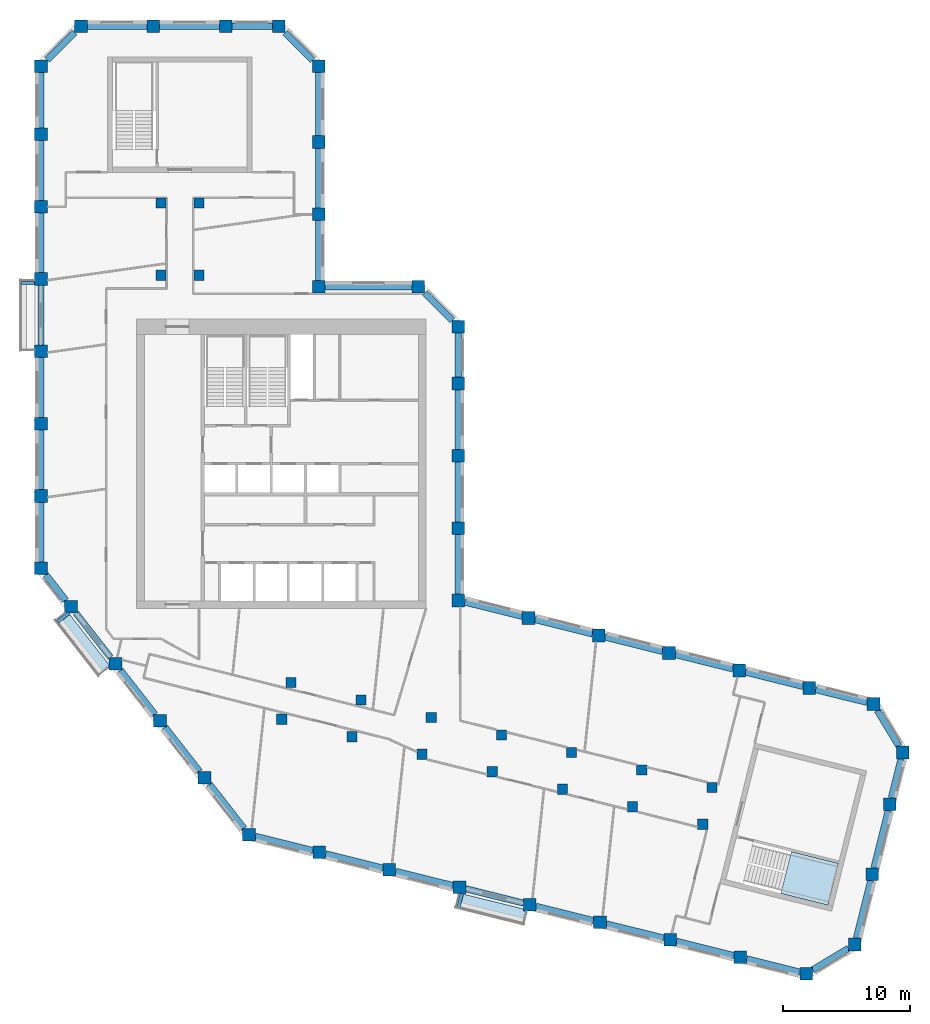
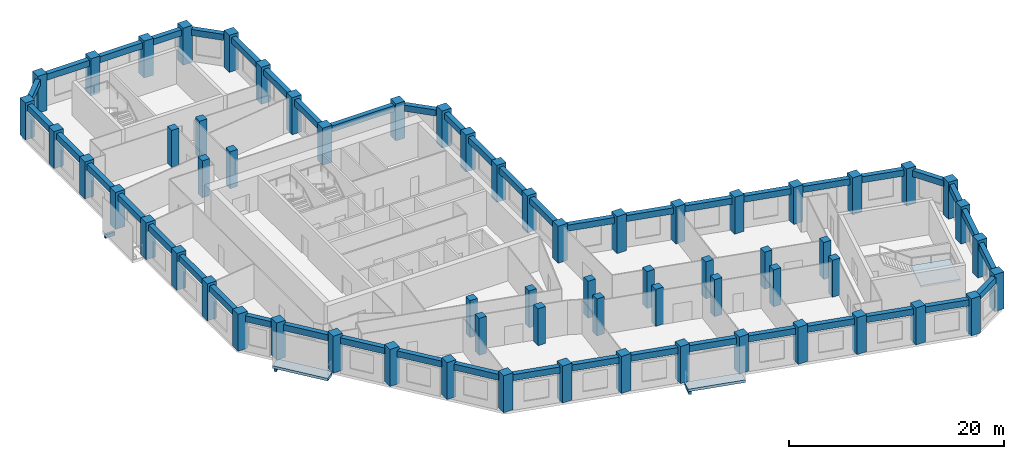
# One storey, part 1 of 9: 63 columns, 48 beams, 3 slabs, 1 element without a shape of its own.
"""IFC4 building model written with IfcOpenShell, lengths in metres."""

from ifc_helpers import new_model, si_unit, direction, frame, origin, origin_2d, place, context, subcontext, project, spatial, polyline, rectangle, outline, extrude, material, layer, layer_set, material_profile, profile_set, type_object, element, aggregate, save


model = new_model("IFC4")

# Units and contexts
model_context = context("Model", 3, precision=1e-05, world=origin(), true_north=direction((0.0, 1.0)))
body_context = subcontext(model_context, "Body", "Model", "MODEL_VIEW")
ifc_project = project(units=[si_unit("LENGTHUNIT", "METRE"), si_unit("AREAUNIT", "SQUARE_METRE"), si_unit("VOLUMEUNIT", "CUBIC_METRE"), si_unit("PLANEANGLEUNIT", "RADIAN"), si_unit("MASSUNIT", "GRAM", prefix="KILO")], contexts=[model_context])

# Site, building, storey
site_placement = place(None, origin())
site = spatial("IfcSite", under=ifc_project, at=site_placement, CompositionType="ELEMENT")
building_placement = place(site_placement, origin())
building = spatial("IfcBuilding", under=site, at=building_placement, Name="Meshkara Civic Tower", CompositionType="ELEMENT")
storey_placement = place(building_placement, frame((0.0, 0.0, 315.0)))
storey = spatial("IfcBuildingStorey", under=building, at=storey_placement, Name="L72", CompositionType="ELEMENT", Elevation=315.0)

# Columns
ifc_material_1 = material(Name="Concrete C60", Category="concrete")
ifc_material_profile_1 = material_profile(ifc_material_1, rectangle(XDim=0.800048828125, YDim=0.800048828125, at=origin_2d()))
ifc_profile_set_1 = profile_set([ifc_material_profile_1], Name="Concrete C60")
column_type_1 = type_object("IfcColumnType", Name="Interior column RC 800x800 C60", PredefinedType="COLUMN", material=ifc_profile_set_1)
for number, where, z_axis, x_axis, name in (
    (1, (9.89990234375, 40.35009765625, 0.0), (0.0, 0.0, 1.0), (1.0, 0.0, 0.0), "Column SA1-04 L72"),
    (2, (9.89990234375, 46.050048828125, 0.0), (0.0, 0.0, 1.0), (1.0, 0.0, 0.0), "Column SA1-05 L72"),
    (3, (12.89990234375, 40.35009765625, 0.0), (0.0, 0.0, 1.0), (1.0, 0.0, 0.0), "Column SA2-04 L72"),
    (4, (12.89990234375, 46.050048828125, 0.0), (0.0, 0.0, 1.0), (1.0, 0.0, 0.0), "Column SA2-05 L72"),
    (5, (19.424072265625, 5.360107421875, 0.0), (0.0, 0.0, 1.0), (1.0, 0.0, 0.0), "Column SB1-00 L72"),
    (6, (24.9541015625, 3.98095703125, 0.0), (0.0, 0.0, 1.0), (1.0, 0.0, 0.0), "Column SB1-01 L72"),
    (7, (30.485107421875, 2.60205078125, 0.0), (0.0, 0.0, 1.0), (1.0, 0.0, 0.0), "Column SB1-02 L72"),
    (8, (36.01611328125, 1.222900390625, 0.0), (0.0, 0.0, 1.0), (1.0, 0.0, 0.0), "Column SB1-03 L72"),
    (9, (41.5458984375, -0.156005859375, 0.0), (0.0, 0.0, 1.0), (1.0, 0.0, 0.0), "Column SB1-04 L72"),
    (10, (47.076904296875, -1.534912109375, 0.0), (0.0, 0.0, 1.0), (1.0, 0.0, 0.0), "Column SB1-05 L72"),
    (11, (52.60791015625, -2.9140625, 0.0), (0.0, 0.0, 1.0), (1.0, 0.0, 0.0), "Column SB1-06 L72"),
    (12, (20.14892578125, 8.27099609375, 0.0), (0.0, 0.0, 1.0), (1.0, 0.0, 0.0), "Column SB2-00 L72"),
    (13, (25.679931640625, 6.89208984375, 0.0), (0.0, 0.0, 1.0), (1.0, 0.0, 0.0), "Column SB2-01 L72"),
    (14, (31.2109375, 5.512939453125, 0.0), (0.0, 0.0, 1.0), (1.0, 0.0, 0.0), "Column SB2-02 L72"),
    (15, (36.741943359375, 4.134033203125, 0.0), (0.0, 0.0, 1.0), (1.0, 0.0, 0.0), "Column SB2-03 L72"),
    (16, (42.27197265625, 2.7548828125, 0.0), (0.0, 0.0, 1.0), (1.0, 0.0, 0.0), "Column SB2-04 L72"),
    (17, (47.802978515625, 1.3759765625, 0.0), (0.0, 0.0, 1.0), (1.0, 0.0, 0.0), "Column SB2-05 L72"),
    (18, (53.333984375, -0.0029296875, 0.0), (0.0, 0.0, 1.0), (1.0, 0.0, 0.0), "Column SB2-06 L72"),
):
    element("IfcColumn", number, at=place(storey_placement, frame(where, z_axis=z_axis, x_axis=x_axis)), inside=storey, type_object=column_type_1, Name=name, PredefinedType="COLUMN", context=body_context, shape_type="SweptSolid", body=[
        extrude(rectangle(XDim=0.800048828125, YDim=0.800048828125, at=origin_2d()), origin(), (0.0, 0.0, 1.0), 4.199951171875),
    ])
ifc_material_2 = material(Name="Concrete C60", Category="concrete")
ifc_material_profile_2 = material_profile(ifc_material_2, rectangle(XDim=1.0, YDim=1.0, at=origin_2d()))
ifc_profile_set_2 = profile_set([ifc_material_profile_2], Name="Concrete C60")
column_type_2 = type_object("IfcColumnType", Name="Perimeter column RC 1000x1000 C60", PredefinedType="COLUMN", material=ifc_profile_set_2)
for number, where, z_axis, x_axis, name in (
    (19, (33.35009765625, 14.718994140625, 0.0), (0.0, 0.0, 1.0), (1.0, 0.0, 0.0), "Column HE00 L72"),
    (20, (33.35009765625, 20.4189453125, 0.0), (0.0, 0.0, 1.0), (1.0, 0.0, 0.0), "Column HE01 L72"),
    (21, (33.35009765625, 26.118896484375, 0.0), (0.0, 0.0, 1.0), (1.0, 0.0, 0.0), "Column HE02 L72"),
    (22, (33.35009765625, 31.819091796875, 0.0), (0.0, 0.0, 1.0), (1.0, 0.0, 0.0), "Column HE03 L72"),
    (23, (33.35009765625, 36.2939453125, 0.0), (0.0, 0.0, 1.0), (1.0, 0.0, 0.0), "Column HEE L72"),
    (24, (30.194091796875, 39.449951171875, 0.0), (0.0, 0.0, 1.0), (1.0, 0.0, 0.0), "Column HCeE L72"),
    (25, (22.35009765625, 39.449951171875, 0.0), (0.0, 0.0, 1.0), (1.0, 0.0, 0.0), "Column HN00 L72"),
    (26, (22.35009765625, 45.14990234375, 0.0), (0.0, 0.0, 1.0), (1.0, 0.0, 0.0), "Column AE01 L72"),
    (27, (22.35009765625, 50.85009765625, 0.0), (0.0, 0.0, 1.0), (1.0, 0.0, 0.0), "Column AE02 L72"),
    (28, (22.35009765625, 56.81396484375, 0.0), (0.0, 0.0, 1.0), (1.0, 0.0, 0.0), "Column AEEP4 L72"),
    (29, (19.194091796875, 59.969970703125, 0.0), (0.0, 0.0, 1.0), (1.0, 0.0, 0.0), "Column ATiEP4 L72"),
    (30, (3.60595703125, 59.969970703125, 0.0), (0.0, 0.0, 1.0), (1.0, 0.0, 0.0), "Column AT00-P4 L72"),
    (31, (9.305908203125, 59.969970703125, 0.0), (0.0, 0.0, 1.0), (1.0, 0.0, 0.0), "Column AT01-P4 L72"),
    (32, (15.006103515625, 59.969970703125, 0.0), (0.0, 0.0, 1.0), (1.0, 0.0, 0.0), "Column AT02-P4 L72"),
    (33, (0.449951171875, 56.81396484375, 0.0), (0.0, 0.0, 1.0), (1.0, 0.0, 0.0), "Column ATo00-P4 L72"),
    (34, (0.449951171875, 17.2548828125, 0.0), (0.0, 0.0, 1.0), (1.0, 0.0, 0.0), "Column AW00 L72"),
    (35, (0.449951171875, 22.955078125, 0.0), (0.0, 0.0, 1.0), (1.0, 0.0, 0.0), "Column AW01 L72"),
    (36, (0.449951171875, 28.655029296875, 0.0), (0.0, 0.0, 1.0), (1.0, 0.0, 0.0), "Column AW02 L72"),
    (37, (0.449951171875, 34.35498046875, 0.0), (0.0, 0.0, 1.0), (1.0, 0.0, 0.0), "Column AW03 L72"),
    (38, (0.449951171875, 40.054931640625, 0.0), (0.0, 0.0, 1.0), (1.0, 0.0, 0.0), "Column AW04 L72"),
    (39, (0.449951171875, 45.7548828125, 0.0), (0.0, 0.0, 1.0), (1.0, 0.0, 0.0), "Column AW05 L72"),
    (40, (0.449951171875, 51.455078125, 0.0), (0.0, 0.0, 1.0), (1.0, 0.0, 0.0), "Column AW06 L72"),
    (41, (16.85107421875, -3.738037109375, 0.0), (0.0, 0.0, 1.0), (1.0, 0.0, 0.0), "Column BOW00 L72"),
    (42, (13.342041015625, 0.75390625, 0.0), (0.0, 0.0, 1.0), (1.0, 0.0, 0.0), "Column BOW01 L72"),
    (43, (9.8330078125, 5.2451171875, 0.0), (0.0, 0.0, 1.0), (1.0, 0.0, 0.0), "Column BOW02 L72"),
    (44, (6.322998046875, 9.737060546875, 0.0), (0.0, 0.0, 1.0), (1.0, 0.0, 0.0), "Column BOW03 L72"),
    (45, (2.81396484375, 14.22900390625, 0.0), (0.0, 0.0, 1.0), (1.0, 0.0, 0.0), "Column BOW04 L72"),
    (46, (22.382080078125, -5.116943359375, 0.0), (0.0, 0.0, 1.0), (1.0, 0.0, 0.0), "Column BS01 L72"),
    (47, (27.912109375, -6.49609375, 0.0), (0.0, 0.0, 1.0), (1.0, 0.0, 0.0), "Column BS02 L72"),
    (48, (33.443115234375, -7.875, 0.0), (0.0, 0.0, 1.0), (1.0, 0.0, 0.0), "Column BS03 L72"),
    (49, (38.97412109375, -9.25390625, 0.0), (0.0, 0.0, 1.0), (1.0, 0.0, 0.0), "Column BS04 L72"),
    (50, (44.50390625, -10.633056640625, 0.0), (0.0, 0.0, 1.0), (1.0, 0.0, 0.0), "Column BS05-P4 L72"),
    (51, (50.034912109375, -12.011962890625, 0.0), (0.0, 0.0, 1.0), (1.0, 0.0, 0.0), "Column BS06-P4 L72"),
    (52, (55.56591796875, -13.389892578125, 0.0), (0.0, 0.0, 1.0), (1.0, 0.0, 0.0), "Column BS07 L72"),
    (53, (60.76611328125, -14.68701171875, 0.0), (0.0, 0.0, 1.0), (1.0, 0.0, 0.0), "Column BSEP4 L72"),
    (54, (64.591064453125, -12.386962890625, 0.0), (0.0, 0.0, 1.0), (1.0, 0.0, 0.0), "Column BToEP4 L72"),
    (55, (65.969970703125, -6.85595703125, 0.0), (0.0, 0.0, 1.0), (1.0, 0.0, 0.0), "Column BT01-P4 L72"),
    (56, (67.34912109375, -1.325927734375, 0.0), (0.0, 0.0, 1.0), (1.0, 0.0, 0.0), "Column BT02-P4 L72"),
    (57, (68.362060546875, 2.736083984375, 0.0), (0.0, 0.0, 1.0), (1.0, 0.0, 0.0), "Column BTEP4 L72"),
    (58, (66.06298828125, 6.56201171875, 0.0), (0.0, 0.0, 1.0), (1.0, 0.0, 0.0), "Column BTi00-P4 L72"),
    (59, (38.881103515625, 13.340087890625, 0.0), (0.0, 0.0, 1.0), (1.0, 0.0, 0.0), "Column BN01 L72"),
    (60, (44.410888671875, 11.9609375, 0.0), (0.0, 0.0, 1.0), (1.0, 0.0, 0.0), "Column BN02 L72"),
    (61, (49.94189453125, 10.58203125, 0.0), (0.0, 0.0, 1.0), (1.0, 0.0, 0.0), "Column BN03 L72"),
    (62, (55.472900390625, 9.202880859375, 0.0), (0.0, 0.0, 1.0), (1.0, 0.0, 0.0), "Column BN04 L72"),
    (63, (61.0029296875, 7.823974609375, 0.0), (0.0, 0.0, 1.0), (1.0, 0.0, 0.0), "Column BN05 L72"),
):
    element("IfcColumn", number, at=place(storey_placement, frame(where, z_axis=z_axis, x_axis=x_axis)), inside=storey, type_object=column_type_2, Name=name, PredefinedType="COLUMN", context=body_context, shape_type="SweptSolid", body=[
        extrude(rectangle(XDim=1.0, YDim=1.0, at=origin_2d()), origin(), (0.0, 0.0, 1.0), 4.199951171875),
    ])

# Beams
ifc_material_3 = material(Name="Concrete C50", Category="concrete")
ifc_material_profile_3 = material_profile(ifc_material_3, rectangle(XDim=0.25, YDim=0.39990234375, at=origin_2d()))
ifc_profile_set_3 = profile_set([ifc_material_profile_3], Name="Concrete C50")
beam_type_1 = type_object("IfcBeamType", Name="Balcony bracket beam RC 250x400 C50", PredefinedType="BEAM", material=ifc_profile_set_3)
beam_1_placement = place(storey_placement, frame((-0.044921875, 39.7548828125, -0.5), z_axis=(-1.0, 0.0, 0.0), x_axis=(0.0, -1.0, 0.0)))
element("IfcBeam", 64, at=beam_1_placement, inside=storey, type_object=beam_type_1, Name="Balcony bracket beam", PredefinedType="BEAM", context=body_context, shape_type="SweptSolid", body=[
    extrude(rectangle(XDim=0.25, YDim=0.39990234375, at=origin_2d()), origin(), (0.0, 0.0, 1.0), 1.05517578125),
])
beam_2_placement = place(storey_placement, frame((2.6650390625, 13.73193359375, -0.5), z_axis=(-0.787961962446, -0.615723920064, 0.0), x_axis=(0.615723920064, -0.787961962446, 0.0)))
element("IfcBeam", 65, at=beam_2_placement, inside=storey, type_object=beam_type_1, Name="Balcony bracket beam", PredefinedType="BEAM", context=body_context, shape_type="SweptSolid", body=[
    extrude(rectangle(XDim=0.25, YDim=0.39990234375, at=origin_2d()), origin(), (0.0, 0.0, 1.0), 1.126953125),
])
beam_3_placement = place(storey_placement, frame((33.62890625, -8.3701171875, -0.5), z_axis=(-0.24238092718, -0.970181161505, 0.0), x_axis=(0.970181161505, -0.24238092718, 0.0)))
element("IfcBeam", 66, at=beam_3_placement, inside=storey, type_object=beam_type_1, Name="Balcony bracket beam", PredefinedType="BEAM", context=body_context, shape_type="SweptSolid", body=[
    extrude(rectangle(XDim=0.25, YDim=0.39990234375, at=origin_2d()), origin(), (0.0, 0.0, 1.0), 1.114013671875),
])
ifc_material_4 = material(Name="Concrete C50", Category="concrete")
ifc_material_profile_4 = material_profile(ifc_material_4, rectangle(XDim=0.5, YDim=0.699951171875, at=origin_2d()))
ifc_profile_set_4 = profile_set([ifc_material_profile_4], Name="Concrete C50")
beam_type_2 = type_object("IfcBeamType", Name="Spandrel beam RC 500x700 C50", PredefinedType="BEAM", material=ifc_profile_set_4)
beam_4_placement = place(storey_placement, frame((60.5078125, 7.947509765625, 3.550048828125), z_axis=(-0.970286590806, 0.241958533023, 0.0), x_axis=(-0.241958533023, -0.970286590806, 0.0)))
element("IfcBeam", 67, at=beam_4_placement, inside=storey, type_object=beam_type_2, Name="Spandrel beam BN04-BN05", PredefinedType="BEAM", context=body_context, shape_type="SweptSolid", body=[
    extrude(rectangle(XDim=0.5, YDim=0.699951171875, at=origin_2d()), origin(), (0.0, 0.0, 1.0), 4.6787109375),
])
beam_5_placement = place(storey_placement, frame((54.977783203125, 9.326416015625, 3.550048828125), z_axis=(-0.970298806378, 0.241909541651, 0.0), x_axis=(-0.241909541651, -0.970298806378, 0.0)))
element("IfcBeam", 68, at=beam_5_placement, inside=storey, type_object=beam_type_2, Name="Spandrel beam BN03-BN04", PredefinedType="BEAM", context=body_context, shape_type="SweptSolid", body=[
    extrude(rectangle(XDim=0.5, YDim=0.699951171875, at=origin_2d()), origin(), (0.0, 0.0, 1.0), 4.6796875),
])
beam_6_placement = place(storey_placement, frame((49.447021484375, 10.70556640625, 3.550048828125), z_axis=(-0.970314102262, 0.241848181618, 0.0), x_axis=(-0.241848181618, -0.970314102262, 0.0)))
element("IfcBeam", 69, at=beam_6_placement, inside=storey, type_object=beam_type_2, Name="Spandrel beam BN02-BN03", PredefinedType="BEAM", context=body_context, shape_type="SweptSolid", body=[
    extrude(rectangle(XDim=0.5, YDim=0.699951171875, at=origin_2d()), origin(), (0.0, 0.0, 1.0), 4.679931640625),
])
beam_7_placement = place(storey_placement, frame((43.916015625, 12.08447265625, 3.550048828125), z_axis=(-0.970286590806, 0.241958533023, 0.0), x_axis=(-0.241958533023, -0.970286590806, 0.0)))
element("IfcBeam", 70, at=beam_7_placement, inside=storey, type_object=beam_type_2, Name="Spandrel beam BN01-BN02", PredefinedType="BEAM", context=body_context, shape_type="SweptSolid", body=[
    extrude(rectangle(XDim=0.5, YDim=0.699951171875, at=origin_2d()), origin(), (0.0, 0.0, 1.0), 4.6787109375),
])
beam_8_placement = place(storey_placement, frame((38.385986328125, 13.46337890625, 3.550048828125), z_axis=(-0.970298806378, 0.241909541651, 0.0), x_axis=(-0.241909541651, -0.970298806378, 0.0)))
element("IfcBeam", 71, at=beam_8_placement, inside=storey, type_object=beam_type_2, Name="Spandrel beam BN01-HE00", PredefinedType="BEAM", context=body_context, shape_type="SweptSolid", body=[
    extrude(rectangle(XDim=0.5, YDim=0.699951171875, at=origin_2d()), origin(), (0.0, 0.0, 1.0), 4.6796875),
])
for number, where, z_axis, x_axis, name in (
    (72, (33.35009765625, 15.214111328125, 3.550048828125), (0.0, 1.0, 0.0), (-1.0, 0.0, 0.0), "Spandrel beam HE00-HE01"),
    (73, (33.35009765625, 20.9140625, 3.550048828125), (0.0, 1.0, 0.0), (-1.0, 0.0, 0.0), "Spandrel beam HE01-HE02"),
    (74, (33.35009765625, 26.614013671875, 3.550048828125), (0.0, 1.0, 0.0), (-1.0, 0.0, 0.0), "Spandrel beam HE02-HE03"),
):
    element("IfcBeam", number, at=place(storey_placement, frame(where, z_axis=z_axis, x_axis=x_axis)), inside=storey, type_object=beam_type_2, Name=name, PredefinedType="BEAM", context=body_context, shape_type="SweptSolid", body=[
        extrude(rectangle(XDim=0.5, YDim=0.699951171875, at=origin_2d()), origin(), (0.0, 0.0, 1.0), 4.7099609375),
    ])
beam_9_placement = place(storey_placement, frame((33.35009765625, 32.31396484375, 3.550048828125), z_axis=(0.0, 1.0, 0.0), x_axis=(-1.0, 0.0, 0.0)))
element("IfcBeam", 75, at=beam_9_placement, inside=storey, type_object=beam_type_2, Name="Spandrel beam HE03-HEE", PredefinedType="BEAM", context=body_context, shape_type="SweptSolid", body=[
    extrude(rectangle(XDim=0.5, YDim=0.699951171875, at=origin_2d()), origin(), (0.0, 0.0, 1.0), 3.485107421875),
])
beam_10_placement = place(storey_placement, frame((32.853515625, 36.79052734375, 3.550048828125), z_axis=(-0.707106781187, 0.707106781187, 0.0), x_axis=(-0.707106781187, -0.707106781187, 0.0)))
element("IfcBeam", 76, at=beam_10_placement, inside=storey, type_object=beam_type_2, Name="Spandrel beam HCeE-HEE", PredefinedType="BEAM", context=body_context, shape_type="SweptSolid", body=[
    extrude(rectangle(XDim=0.5, YDim=0.699951171875, at=origin_2d()), origin(), (0.0, 0.0, 1.0), 3.05908203125),
])
beam_11_placement = place(storey_placement, frame((29.698974609375, 39.449951171875, 3.550048828125), z_axis=(-1.0, 0.0, 0.0), x_axis=(0.0, -1.0, 0.0)))
element("IfcBeam", 77, at=beam_11_placement, inside=storey, type_object=beam_type_2, Name="Spandrel beam HCeE-HN00", PredefinedType="BEAM", context=body_context, shape_type="SweptSolid", body=[
    extrude(rectangle(XDim=0.5, YDim=0.699951171875, at=origin_2d()), origin(), (0.0, 0.0, 1.0), 6.85400390625),
])
for number, where, z_axis, x_axis, name in (
    (78, (22.35009765625, 39.945068359375, 3.550048828125), (0.0, 1.0, 0.0), (-1.0, 0.0, 0.0), "Spandrel beam AE01-HN00"),
    (79, (22.35009765625, 45.64501953125, 3.550048828125), (0.0, 1.0, 0.0), (-1.0, 0.0, 0.0), "Spandrel beam AE01-AE02"),
):
    element("IfcBeam", number, at=place(storey_placement, frame(where, z_axis=z_axis, x_axis=x_axis)), inside=storey, type_object=beam_type_2, Name=name, PredefinedType="BEAM", context=body_context, shape_type="SweptSolid", body=[
        extrude(rectangle(XDim=0.5, YDim=0.699951171875, at=origin_2d()), origin(), (0.0, 0.0, 1.0), 4.7099609375),
    ])
beam_12_placement = place(storey_placement, frame((22.35009765625, 51.344970703125, 3.550048828125), z_axis=(0.0, 1.0, 0.0), x_axis=(-1.0, 0.0, 0.0)))
element("IfcBeam", 80, at=beam_12_placement, inside=storey, type_object=beam_type_2, Name="Spandrel beam AE02-AEEP4", PredefinedType="BEAM", context=body_context, shape_type="SweptSolid", body=[
    extrude(rectangle(XDim=0.5, YDim=0.699951171875, at=origin_2d()), origin(), (0.0, 0.0, 1.0), 4.97412109375),
])
beam_13_placement = place(storey_placement, frame((21.853515625, 57.310546875, 3.550048828125), z_axis=(-0.707146686758, 0.707066873363, 0.0), x_axis=(-0.707066873363, -0.707146686758, 0.0)))
element("IfcBeam", 81, at=beam_13_placement, inside=storey, type_object=beam_type_2, Name="Spandrel beam AEEP4-ATiEP4", PredefinedType="BEAM", context=body_context, shape_type="SweptSolid", body=[
    extrude(rectangle(XDim=0.5, YDim=0.699951171875, at=origin_2d()), origin(), (0.0, 0.0, 1.0), 3.058837890625),
])
beam_14_placement = place(storey_placement, frame((18.698974609375, 59.969970703125, 3.550048828125), z_axis=(-1.0, 0.0, 0.0), x_axis=(0.0, -1.0, 0.0)))
element("IfcBeam", 82, at=beam_14_placement, inside=storey, type_object=beam_type_2, Name="Spandrel beam AT02-P4-ATiEP4", PredefinedType="BEAM", context=body_context, shape_type="SweptSolid", body=[
    extrude(rectangle(XDim=0.5, YDim=0.699951171875, at=origin_2d()), origin(), (0.0, 0.0, 1.0), 3.197998046875),
])
for number, where, z_axis, x_axis, name in (
    (83, (14.510986328125, 59.969970703125, 3.550048828125), (-1.0, 0.0, 0.0), (0.0, -1.0, 0.0), "Spandrel beam AT01-P4-AT02-P4"),
    (84, (8.81103515625, 59.969970703125, 3.550048828125), (-1.0, 0.0, 0.0), (0.0, -1.0, 0.0), "Spandrel beam AT00-P4-AT01-P4"),
):
    element("IfcBeam", number, at=place(storey_placement, frame(where, z_axis=z_axis, x_axis=x_axis)), inside=storey, type_object=beam_type_2, Name=name, PredefinedType="BEAM", context=body_context, shape_type="SweptSolid", body=[
        extrude(rectangle(XDim=0.5, YDim=0.699951171875, at=origin_2d()), origin(), (0.0, 0.0, 1.0), 4.7099609375),
    ])
beam_15_placement = place(storey_placement, frame((3.109619140625, 59.473388671875, 3.550048828125), z_axis=(-0.707146686758, -0.707066873363, 0.0), x_axis=(0.707066873363, -0.707146686758, 0.0)))
element("IfcBeam", 85, at=beam_15_placement, inside=storey, type_object=beam_type_2, Name="Spandrel beam AT00-P4-ATo00-P4", PredefinedType="BEAM", context=body_context, shape_type="SweptSolid", body=[
    extrude(rectangle(XDim=0.5, YDim=0.699951171875, at=origin_2d()), origin(), (0.0, 0.0, 1.0), 3.058837890625),
])
beam_16_placement = place(storey_placement, frame((0.449951171875, 56.319091796875, 3.550048828125), z_axis=(0.0, -1.0, 0.0), x_axis=(1.0, 0.0, 0.0)))
element("IfcBeam", 86, at=beam_16_placement, inside=storey, type_object=beam_type_2, Name="Spandrel beam ATo00-P4-AW06", PredefinedType="BEAM", context=body_context, shape_type="SweptSolid", body=[
    extrude(rectangle(XDim=0.5, YDim=0.699951171875, at=origin_2d()), origin(), (0.0, 0.0, 1.0), 4.369140625),
])
for number, where, z_axis, x_axis, name in (
    (87, (0.449951171875, 50.9599609375, 3.550048828125), (0.0, -1.0, 0.0), (1.0, 0.0, 0.0), "Spandrel beam AW05-AW06"),
    (88, (0.449951171875, 45.260009765625, 3.550048828125), (0.0, -1.0, 0.0), (1.0, 0.0, 0.0), "Spandrel beam AW04-AW05"),
    (89, (0.449951171875, 39.56005859375, 3.550048828125), (0.0, -1.0, 0.0), (1.0, 0.0, 0.0), "Spandrel beam AW03-AW04"),
):
    element("IfcBeam", number, at=place(storey_placement, frame(where, z_axis=z_axis, x_axis=x_axis)), inside=storey, type_object=beam_type_2, Name=name, PredefinedType="BEAM", context=body_context, shape_type="SweptSolid", body=[
        extrude(rectangle(XDim=0.5, YDim=0.699951171875, at=origin_2d()), origin(), (0.0, 0.0, 1.0), 4.7099609375),
    ])
beam_17_placement = place(storey_placement, frame((0.449951171875, 33.860107421875, 3.550048828125), z_axis=(0.0, -1.0, 0.0), x_axis=(1.0, 0.0, 0.0)))
element("IfcBeam", 90, at=beam_17_placement, inside=storey, type_object=beam_type_2, Name="Spandrel beam AW02-AW03", PredefinedType="BEAM", context=body_context, shape_type="SweptSolid", body=[
    extrude(rectangle(XDim=0.5, YDim=0.699951171875, at=origin_2d()), origin(), (0.0, 0.0, 1.0), 4.710205078125),
])
for number, where, z_axis, x_axis, name in (
    (91, (0.449951171875, 28.159912109375, 3.550048828125), (0.0, -1.0, 0.0), (1.0, 0.0, 0.0), "Spandrel beam AW01-AW02"),
    (92, (0.449951171875, 22.4599609375, 3.550048828125), (0.0, -1.0, 0.0), (1.0, 0.0, 0.0), "Spandrel beam AW00-AW01"),
):
    element("IfcBeam", number, at=place(storey_placement, frame(where, z_axis=z_axis, x_axis=x_axis)), inside=storey, type_object=beam_type_2, Name=name, PredefinedType="BEAM", context=body_context, shape_type="SweptSolid", body=[
        extrude(rectangle(XDim=0.5, YDim=0.699951171875, at=origin_2d()), origin(), (0.0, 0.0, 1.0), 4.7099609375),
    ])
beam_18_placement = place(storey_placement, frame((0.83740234375, 16.7587890625, 3.550048828125), z_axis=(0.615713794912, -0.787969874269, 0.0), x_axis=(0.787969874269, 0.615713794912, 0.0)))
element("IfcBeam", 93, at=beam_18_placement, inside=storey, type_object=beam_type_2, Name="Spandrel beam AW00-BOW04", PredefinedType="BEAM", context=body_context, shape_type="SweptSolid", body=[
    extrude(rectangle(XDim=0.5, YDim=0.699951171875, at=origin_2d()), origin(), (0.0, 0.0, 1.0), 2.580810546875),
])
beam_19_placement = place(storey_placement, frame((3.201416015625, 13.73291015625, 3.550048828125), z_axis=(0.615636574491, -0.788030207637, 0.0), x_axis=(0.788030207637, 0.615636574491, 0.0)))
element("IfcBeam", 94, at=beam_19_placement, inside=storey, type_object=beam_type_2, Name="Spandrel beam BOW03-BOW04", PredefinedType="BEAM", context=body_context, shape_type="SweptSolid", body=[
    extrude(rectangle(XDim=0.5, YDim=0.699951171875, at=origin_2d()), origin(), (0.0, 0.0, 1.0), 4.441162109375),
])
beam_20_placement = place(storey_placement, frame((6.710693359375, 9.240966796875, 3.550048828125), z_axis=(0.615704842432, -0.787976869588, 0.0), x_axis=(0.787976869588, 0.615704842432, 0.0)))
element("IfcBeam", 95, at=beam_20_placement, inside=storey, type_object=beam_type_2, Name="Spandrel beam BOW02-BOW03", PredefinedType="BEAM", context=body_context, shape_type="SweptSolid", body=[
    extrude(rectangle(XDim=0.5, YDim=0.699951171875, at=origin_2d()), origin(), (0.0, 0.0, 1.0), 4.44140625),
])
beam_21_placement = place(storey_placement, frame((10.220703125, 4.748779296875, 3.550048828125), z_axis=(0.615674985547, -0.788000198078, 0.0), x_axis=(0.788000198078, 0.615674985547, 0.0)))
element("IfcBeam", 96, at=beam_21_placement, inside=storey, type_object=beam_type_2, Name="Spandrel beam BOW01-BOW02", PredefinedType="BEAM", context=body_context, shape_type="SweptSolid", body=[
    extrude(rectangle(XDim=0.5, YDim=0.699951171875, at=origin_2d()), origin(), (0.0, 0.0, 1.0), 4.440185546875),
])
beam_22_placement = place(storey_placement, frame((13.7294921875, 0.2578125, 3.550048828125), z_axis=(0.615602435322, -0.788056877151, 0.0), x_axis=(0.788056877151, 0.615602435322, 0.0)))
element("IfcBeam", 97, at=beam_22_placement, inside=storey, type_object=beam_type_2, Name="Spandrel beam BOW00-BOW01", PredefinedType="BEAM", context=body_context, shape_type="SweptSolid", body=[
    extrude(rectangle(XDim=0.5, YDim=0.699951171875, at=origin_2d()), origin(), (0.0, 0.0, 1.0), 4.44091796875),
])
beam_23_placement = place(storey_placement, frame((17.34619140625, -3.861572265625, 3.550048828125), z_axis=(0.970311050729, -0.24186042428, 0.0), x_axis=(0.24186042428, 0.970311050729, 0.0)))
element("IfcBeam", 98, at=beam_23_placement, inside=storey, type_object=beam_type_2, Name="Spandrel beam BOW00-BS01", PredefinedType="BEAM", context=body_context, shape_type="SweptSolid", body=[
    extrude(rectangle(XDim=0.5, YDim=0.699951171875, at=origin_2d()), origin(), (0.0, 0.0, 1.0), 4.6796875),
])
beam_24_placement = place(storey_placement, frame((22.877197265625, -5.240478515625, 3.550048828125), z_axis=(0.970286590806, -0.241958533023, 0.0), x_axis=(0.241958533023, 0.970286590806, 0.0)))
element("IfcBeam", 99, at=beam_24_placement, inside=storey, type_object=beam_type_2, Name="Spandrel beam BS01-BS02", PredefinedType="BEAM", context=body_context, shape_type="SweptSolid", body=[
    extrude(rectangle(XDim=0.5, YDim=0.699951171875, at=origin_2d()), origin(), (0.0, 0.0, 1.0), 4.6787109375),
])
for number, where, z_axis, x_axis, name in (
    (100, (28.406982421875, -6.619384765625, 3.550048828125), (0.970301859111, -0.241897296812, 0.0), (0.241897296812, 0.970301859111, 0.0), "Spandrel beam BS02-BS03"),
    (101, (33.93798828125, -7.99853515625, 3.550048828125), (0.970301859111, -0.241897296812, 0.0), (0.241897296812, 0.970301859111, 0.0), "Spandrel beam BS03-BS04"),
):
    element("IfcBeam", number, at=place(storey_placement, frame(where, z_axis=z_axis, x_axis=x_axis)), inside=storey, type_object=beam_type_2, Name=name, PredefinedType="BEAM", context=body_context, shape_type="SweptSolid", body=[
        extrude(rectangle(XDim=0.5, YDim=0.699951171875, at=origin_2d()), origin(), (0.0, 0.0, 1.0), 4.679931640625),
    ])
beam_25_placement = place(storey_placement, frame((39.468994140625, -9.37744140625, 3.550048828125), z_axis=(0.970286590806, -0.241958533023, 0.0), x_axis=(0.241958533023, 0.970286590806, 0.0)))
element("IfcBeam", 102, at=beam_25_placement, inside=storey, type_object=beam_type_2, Name="Spandrel beam BS04-BS05-P4", PredefinedType="BEAM", context=body_context, shape_type="SweptSolid", body=[
    extrude(rectangle(XDim=0.5, YDim=0.699951171875, at=origin_2d()), origin(), (0.0, 0.0, 1.0), 4.6787109375),
])
beam_26_placement = place(storey_placement, frame((44.9990234375, -10.756591796875, 3.550048828125), z_axis=(0.970311050729, -0.24186042428, 0.0), x_axis=(0.24186042428, 0.970311050729, 0.0)))
element("IfcBeam", 103, at=beam_26_placement, inside=storey, type_object=beam_type_2, Name="Spandrel beam BS05-P4-BS06-P4", PredefinedType="BEAM", context=body_context, shape_type="SweptSolid", body=[
    extrude(rectangle(XDim=0.5, YDim=0.699951171875, at=origin_2d()), origin(), (0.0, 0.0, 1.0), 4.6796875),
])
beam_27_placement = place(storey_placement, frame((50.530029296875, -12.135498046875, 3.550048828125), z_axis=(0.970347770718, -0.241713061011, 0.0), x_axis=(0.241713061011, 0.970347770718, 0.0)))
element("IfcBeam", 104, at=beam_27_placement, inside=storey, type_object=beam_type_2, Name="Spandrel beam BS06-P4-BS07", PredefinedType="BEAM", context=body_context, shape_type="SweptSolid", body=[
    extrude(rectangle(XDim=0.5, YDim=0.699951171875, at=origin_2d()), origin(), (0.0, 0.0, 1.0), 4.679443359375),
])
beam_28_placement = place(storey_placement, frame((56.06103515625, -13.513427734375, 3.550048828125), z_axis=(0.970274749447, -0.242006013533, 0.0), x_axis=(0.242006013533, 0.970274749447, 0.0)))
element("IfcBeam", 105, at=beam_28_placement, inside=storey, type_object=beam_type_2, Name="Spandrel beam BS07-BSEP4", PredefinedType="BEAM", context=body_context, shape_type="SweptSolid", body=[
    extrude(rectangle(XDim=0.5, YDim=0.699951171875, at=origin_2d()), origin(), (0.0, 0.0, 1.0), 4.3388671875),
])
beam_29_placement = place(storey_placement, frame((61.26171875, -14.388916015625, 3.550048828125), z_axis=(0.856990838189, 0.515331643953, 0.0), x_axis=(-0.515331643953, 0.856990838189, 0.0)))
element("IfcBeam", 106, at=beam_29_placement, inside=storey, type_object=beam_type_2, Name="Spandrel beam BSEP4-BToEP4", PredefinedType="BEAM", context=body_context, shape_type="SweptSolid", body=[
    extrude(rectangle(XDim=0.5, YDim=0.699951171875, at=origin_2d()), origin(), (0.0, 0.0, 1.0), 3.306396484375),
])
beam_30_placement = place(storey_placement, frame((64.714599609375, -11.891845703125, 3.550048828125), z_axis=(0.24186042428, 0.970311050729, 0.0), x_axis=(-0.970311050729, 0.24186042428, 0.0)))
element("IfcBeam", 107, at=beam_30_placement, inside=storey, type_object=beam_type_2, Name="Spandrel beam BT01-P4-BToEP4", PredefinedType="BEAM", context=body_context, shape_type="SweptSolid", body=[
    extrude(rectangle(XDim=0.5, YDim=0.699951171875, at=origin_2d()), origin(), (0.0, 0.0, 1.0), 4.6796875),
])
beam_31_placement = place(storey_placement, frame((66.093505859375, -6.36083984375, 3.550048828125), z_axis=(0.241958533023, 0.970286590806, 0.0), x_axis=(-0.970286590806, 0.241958533023, 0.0)))
element("IfcBeam", 108, at=beam_31_placement, inside=storey, type_object=beam_type_2, Name="Spandrel beam BT01-P4-BT02-P4", PredefinedType="BEAM", context=body_context, shape_type="SweptSolid", body=[
    extrude(rectangle(XDim=0.5, YDim=0.699951171875, at=origin_2d()), origin(), (0.0, 0.0, 1.0), 4.6787109375),
])
beam_32_placement = place(storey_placement, frame((67.472412109375, -0.830810546875, 3.550048828125), z_axis=(0.241991235859, 0.970278435176, 0.0), x_axis=(-0.970278435176, 0.241991235859, 0.0)))
element("IfcBeam", 109, at=beam_32_placement, inside=storey, type_object=beam_type_2, Name="Spandrel beam BT02-P4-BTEP4", PredefinedType="BEAM", context=body_context, shape_type="SweptSolid", body=[
    extrude(rectangle(XDim=0.5, YDim=0.699951171875, at=origin_2d()), origin(), (0.0, 0.0, 1.0), 3.165771484375),
])
beam_33_placement = place(storey_placement, frame((68.064208984375, 3.231689453125, 3.550048828125), z_axis=(-0.515060169575, 0.8571540245, 0.0), x_axis=(-0.8571540245, -0.515060169575, 0.0)))
element("IfcBeam", 110, at=beam_33_placement, inside=storey, type_object=beam_type_2, Name="Spandrel beam BTEP4-BTi00-P4", PredefinedType="BEAM", context=body_context, shape_type="SweptSolid", body=[
    extrude(rectangle(XDim=0.5, YDim=0.699951171875, at=origin_2d()), origin(), (0.0, 0.0, 1.0), 3.30712890625),
])
beam_34_placement = place(storey_placement, frame((65.56787109375, 6.685546875, 3.550048828125), z_axis=(-0.970286131512, 0.241960374847, 0.0), x_axis=(-0.241960374847, -0.970286131512, 0.0)))
element("IfcBeam", 111, at=beam_34_placement, inside=storey, type_object=beam_type_2, Name="Spandrel beam BN05-BTi00-P4", PredefinedType="BEAM", context=body_context, shape_type="SweptSolid", body=[
    extrude(rectangle(XDim=0.5, YDim=0.699951171875, at=origin_2d()), origin(), (0.0, 0.0, 1.0), 4.1943359375),
])

# Slabs
ifc_material_5 = material(Name="Concrete C40", Category="concrete")
ifc_layer_1 = layer(ifc_material_5, 0.300048828125)
ifc_layer_set_1 = layer_set([ifc_layer_1], Name="BALCONY SLAB")
slab_type_1 = type_object("IfcSlabType", Name="BALCONY SLAB", PredefinedType="FLOOR", material=ifc_layer_set_1)
slab_1_placement = place(storey_placement, frame((0.0, 0.0, -0.300048828125)))
element("IfcSlab", 112, at=slab_1_placement, inside=storey, type_object=slab_type_1, Name="Balcony slab", PredefinedType="FLOOR", context=body_context, shape_type="SweptSolid", body=[
    extrude(outline(polyline([(4.986083984375, 8.76904296875), (1.551025390625, 13.166015625), (2.31396484375, 13.761962890625), (2.31396484375, 13.72900390625), (2.634033203125, 13.72900390625), (5.822998046875, 9.64697265625), (5.822998046875, 9.423095703125), (4.986083984375, 8.76904296875)])), origin(), (0.0, 0.0, 1.0), 0.300048828125),
])
slab_2_placement = place(storey_placement, frame((0.0, 0.0, -0.300048828125)))
element("IfcSlab", 113, at=slab_2_placement, inside=storey, type_object=slab_type_1, Name="Balcony slab", PredefinedType="FLOOR", context=body_context, shape_type="SweptSolid", body=[
    extrude(outline(polyline([(38.51708984375, -10.840087890625), (33.10205078125, -9.489990234375), (33.3798828125, -8.375), (33.589111328125, -8.375), (38.47412109375, -9.593017578125), (38.47412109375, -9.75390625), (38.787109375, -9.75390625), (38.51708984375, -10.840087890625)])), origin(), (0.0, 0.0, 1.0), 0.300048828125),
])

# Stair, slab
ifc_material_6 = material(Name="Precast concrete C40/50", Category="concrete")
stair_type = type_object("IfcStairType", Name="Exit stair half-turn 24 risers precast", PredefinedType="HALF_TURN_STAIR", material=ifc_material_6)
stair_placement = place(storey_placement, origin())
stair = element("IfcStair", 114, at=stair_placement, inside=storey, type_object=stair_type, Name="L72 exit stair B from L65", PredefinedType="HALF_TURN_STAIR")
ifc_material_7 = material(Name="Precast concrete C40/50", Category="concrete")
ifc_layer_2 = layer(ifc_material_7, 0.199951171875)
ifc_layer_set_2 = layer_set([ifc_layer_2], Name="Exit stair landing 200")
slab_type_2 = type_object("IfcSlabType", Name="Exit stair landing 200", PredefinedType="LANDING", material=ifc_layer_set_2)
slab_3_placement = place(storey_placement, frame((0.0, 0.0, 1.89990234375)))
slab_3 = element("IfcSlab", 115, at=slab_3_placement, type_object=slab_type_2, Name="ESB5 landing 1", PredefinedType="LANDING", context=body_context, shape_type="SweptSolid", body=[
    extrude(outline(polyline([(58.769775390625, -8.366943359375), (62.477783203125, -9.2919921875), (63.301025390625, -5.991943359375), (59.593017578125, -5.06689453125), (58.769775390625, -8.366943359375)])), origin(), (0.0, 0.0, 1.0), 0.2001953125),
])
aggregate(stair, [slab_3])

save(model, "model.ifc")
